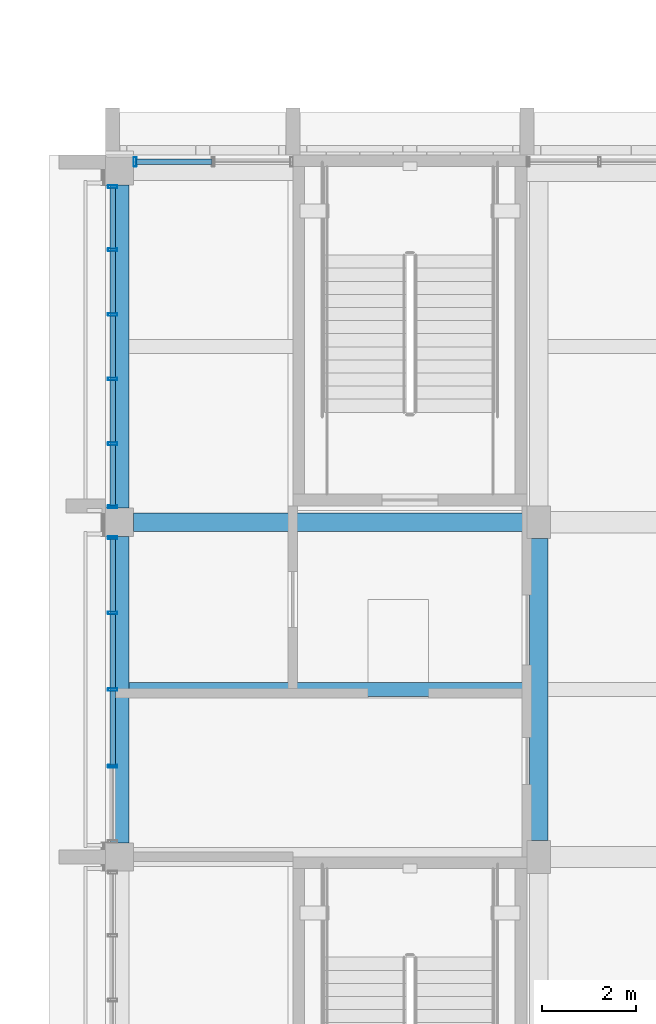
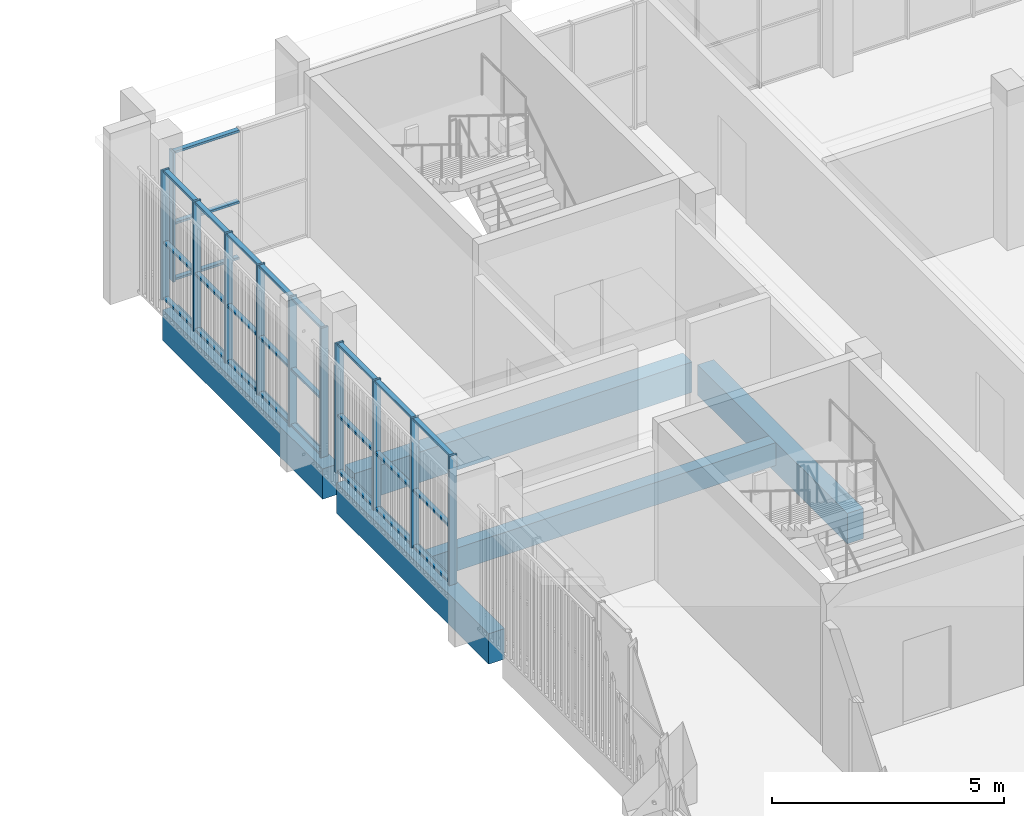
# One storey, part 34 of 92: 38 members, 5 beams, 3 elements without a shape of their own.
"""IFC4 building model written with IfcOpenShell, lengths in metres."""

from ifc_helpers import new_model, si_unit, direction, frame, origin, origin_2d, place, context, subcontext, project, spatial, rectangle, hollow_rectangle, extrude, material, material_profile, profile_set, type_object, element, aggregate, save


model = new_model("IFC4")

# Units and contexts
model_context = context("Model", 3, precision=1e-05, world=origin(), true_north=direction((0.0, 1.0)))
body_context = subcontext(model_context, "Body", "Model", "MODEL_VIEW")
ifc_project = project(units=[si_unit("LENGTHUNIT", "METRE"), si_unit("AREAUNIT", "SQUARE_METRE"), si_unit("VOLUMEUNIT", "CUBIC_METRE"), si_unit("PLANEANGLEUNIT", "RADIAN"), si_unit("MASSUNIT", "GRAM", prefix="KILO")], contexts=[model_context])

# Site, building, storey
site_placement = place(None, origin())
site = spatial("IfcSite", under=ifc_project, at=site_placement, CompositionType="ELEMENT")
building_placement = place(site_placement, origin())
building = spatial("IfcBuilding", under=site, at=building_placement, Name="Sun Court Science Centre", CompositionType="ELEMENT")
storey_placement = place(building_placement, frame((0.0, 0.0, 11.25)))
storey = spatial("IfcBuildingStorey", under=building, at=storey_placement, Name="L02", CompositionType="ELEMENT", Elevation=11.25)

# Curtain wall, members
ifc_material_1 = material(Name="Aluminium EN AW-6063 T6", Category="aluminium")
curtain_wall_type = type_object("IfcCurtainWallType", Name="Laboratory tall bay curtain wall 1500", PredefinedType="NOTDEFINED", material=ifc_material_1)
curtain_wall_1_placement = place(storey_placement, origin())
curtain_wall_1 = element("IfcCurtainWall", 1, at=curtain_wall_1_placement, inside=storey, type_object=curtain_wall_type, Name="Curtain wall V4 W L02 08", PredefinedType="NOTDEFINED")
ifc_material_2 = material(Name="Aluminium EN AW-6063 T6", Category="aluminium")
ifc_material_profile_1 = material_profile(ifc_material_2, hollow_rectangle(XDim=0.06005859375, YDim=0.199951171875, WallThickness=0.0048828125, InnerFilletRadius=0.0048828125, OuterFilletRadius=0.007568359375, at=origin_2d()), Name="AL 60x200x5")
ifc_profile_set_1 = profile_set([ifc_material_profile_1], Name="Aluminium EN AW-6063 T6")
member_type_1 = type_object("IfcMemberType", Name="Curtain wall mullion AL 60x200", PredefinedType="MULLION", material=ifc_profile_set_1)
member_1_placement = place(storey_placement, frame((78.14990234375, 67.9375, 0.0), z_axis=(0.0, 0.0, 1.0), x_axis=(0.0, 1.0, 0.0)))
member_1 = element("IfcMember", 2, at=member_1_placement, type_object=member_type_1, Name="CW2-26 mullion 2", PredefinedType="MULLION", context=body_context, shape_type="SweptSolid", body=[
    extrude(hollow_rectangle(XDim=0.06005859375, YDim=0.199951171875, WallThickness=0.0048828125, InnerFilletRadius=0.0048828125, OuterFilletRadius=0.007568359375, at=origin_2d()), origin(), (0.0, 0.0, 1.0), 3.39990234375),
])
member_2_placement = place(storey_placement, frame((78.14990234375, 69.574951171875, 0.0), z_axis=(0.0, 0.0, 1.0), x_axis=(0.0, 1.0, 0.0)))
member_2 = element("IfcMember", 3, at=member_2_placement, type_object=member_type_1, Name="CW2-26 mullion 3", PredefinedType="MULLION", context=body_context, shape_type="SweptSolid", body=[
    extrude(hollow_rectangle(XDim=0.06005859375, YDim=0.199951171875, WallThickness=0.0048828125, InnerFilletRadius=0.0048828125, OuterFilletRadius=0.007568359375, at=origin_2d()), origin(), (0.0, 0.0, 1.0), 3.39990234375),
])
member_3_placement = place(storey_placement, frame((78.14990234375, 71.21240234375, 0.0), z_axis=(0.0, 0.0, 1.0), x_axis=(0.0, 1.0, 0.0)))
member_3 = element("IfcMember", 4, at=member_3_placement, type_object=member_type_1, Name="CW2-26 mullion 4", PredefinedType="MULLION", context=body_context, shape_type="SweptSolid", body=[
    extrude(hollow_rectangle(XDim=0.06005859375, YDim=0.199951171875, WallThickness=0.0048828125, InnerFilletRadius=0.0048828125, OuterFilletRadius=0.007568359375, at=origin_2d()), origin(), (0.0, 0.0, 1.0), 3.39990234375),
])
member_4_placement = place(storey_placement, frame((78.14990234375, 72.820068359375, 0.0), z_axis=(0.0, 0.0, 1.0), x_axis=(0.0, 1.0, 0.0)))
member_4 = element("IfcMember", 5, at=member_4_placement, type_object=member_type_1, Name="CW2-26 mullion 5", PredefinedType="MULLION", context=body_context, shape_type="SweptSolid", body=[
    extrude(hollow_rectangle(XDim=0.06005859375, YDim=0.199951171875, WallThickness=0.0048828125, InnerFilletRadius=0.0048828125, OuterFilletRadius=0.007568359375, at=origin_2d()), origin(), (0.0, 0.0, 1.0), 3.39990234375),
])

curtain_wall_2_placement = place(storey_placement, origin())
curtain_wall_2 = element("IfcCurtainWall", 6, at=curtain_wall_2_placement, inside=storey, type_object=curtain_wall_type, Name="Curtain wall V4 W L02 09", PredefinedType="NOTDEFINED")
member_5_placement = place(storey_placement, frame((78.14990234375, 73.47998046875, 0.0), z_axis=(0.0, 0.0, 1.0), x_axis=(0.0, 1.0, 0.0)))
member_5 = element("IfcMember", 7, at=member_5_placement, type_object=member_type_1, Name="CW2-27 mullion 1", PredefinedType="MULLION", context=body_context, shape_type="SweptSolid", body=[
    extrude(hollow_rectangle(XDim=0.06005859375, YDim=0.199951171875, WallThickness=0.0048828125, InnerFilletRadius=0.0048828125, OuterFilletRadius=0.007568359375, at=origin_2d()), origin(), (0.0, 0.0, 1.0), 3.39990234375),
])
member_6_placement = place(storey_placement, frame((78.14990234375, 74.830078125, 0.0), z_axis=(0.0, 0.0, 1.0), x_axis=(0.0, 1.0, 0.0)))
member_6 = element("IfcMember", 8, at=member_6_placement, type_object=member_type_1, Name="CW2-27 mullion 2", PredefinedType="MULLION", context=body_context, shape_type="SweptSolid", body=[
    extrude(hollow_rectangle(XDim=0.06005859375, YDim=0.199951171875, WallThickness=0.0048828125, InnerFilletRadius=0.0048828125, OuterFilletRadius=0.007568359375, at=origin_2d()), origin(), (0.0, 0.0, 1.0), 3.39990234375),
])
member_7_placement = place(storey_placement, frame((78.14990234375, 76.2099609375, 0.0), z_axis=(0.0, 0.0, 1.0), x_axis=(0.0, 1.0, 0.0)))
member_7 = element("IfcMember", 9, at=member_7_placement, type_object=member_type_1, Name="CW2-27 mullion 3", PredefinedType="MULLION", context=body_context, shape_type="SweptSolid", body=[
    extrude(hollow_rectangle(XDim=0.06005859375, YDim=0.199951171875, WallThickness=0.0048828125, InnerFilletRadius=0.0048828125, OuterFilletRadius=0.007568359375, at=origin_2d()), origin(), (0.0, 0.0, 1.0), 3.39990234375),
])
member_8_placement = place(storey_placement, frame((78.14990234375, 77.590087890625, 0.0), z_axis=(0.0, 0.0, 1.0), x_axis=(0.0, 1.0, 0.0)))
member_8 = element("IfcMember", 10, at=member_8_placement, type_object=member_type_1, Name="CW2-27 mullion 4", PredefinedType="MULLION", context=body_context, shape_type="SweptSolid", body=[
    extrude(hollow_rectangle(XDim=0.06005859375, YDim=0.199951171875, WallThickness=0.0048828125, InnerFilletRadius=0.0048828125, OuterFilletRadius=0.007568359375, at=origin_2d()), origin(), (0.0, 0.0, 1.0), 3.39990234375),
])
member_9_placement = place(storey_placement, frame((78.14990234375, 78.969970703125, 0.0), z_axis=(0.0, 0.0, 1.0), x_axis=(0.0, 1.0, 0.0)))
member_9 = element("IfcMember", 11, at=member_9_placement, type_object=member_type_1, Name="CW2-27 mullion 5", PredefinedType="MULLION", context=body_context, shape_type="SweptSolid", body=[
    extrude(hollow_rectangle(XDim=0.06005859375, YDim=0.199951171875, WallThickness=0.0048828125, InnerFilletRadius=0.0048828125, OuterFilletRadius=0.007568359375, at=origin_2d()), origin(), (0.0, 0.0, 1.0), 3.39990234375),
])
member_10_placement = place(storey_placement, frame((78.14990234375, 80.320068359375, 0.0), z_axis=(0.0, 0.0, 1.0), x_axis=(0.0, 1.0, 0.0)))
member_10 = element("IfcMember", 12, at=member_10_placement, type_object=member_type_1, Name="CW2-27 mullion 6", PredefinedType="MULLION", context=body_context, shape_type="SweptSolid", body=[
    extrude(hollow_rectangle(XDim=0.06005859375, YDim=0.199951171875, WallThickness=0.0048828125, InnerFilletRadius=0.0048828125, OuterFilletRadius=0.007568359375, at=origin_2d()), origin(), (0.0, 0.0, 1.0), 3.39990234375),
])

# Curtain wall, member
curtain_wall_3_placement = place(storey_placement, origin())
curtain_wall_3 = element("IfcCurtainWall", 13, at=curtain_wall_3_placement, inside=storey, type_object=curtain_wall_type, Name="Curtain wall V4 N L02 01", PredefinedType="NOTDEFINED")
member_11_placement = place(storey_placement, frame((78.6298828125, 80.85009765625, 0.0), z_axis=(0.0, 0.0, 1.0), x_axis=(1.0, 0.0, 0.0)))
member_11 = element("IfcMember", 14, at=member_11_placement, type_object=member_type_1, Name="CW2-67 mullion 1", PredefinedType="MULLION", context=body_context, shape_type="SweptSolid", body=[
    extrude(hollow_rectangle(XDim=0.06005859375, YDim=0.199951171875, WallThickness=0.0048828125, InnerFilletRadius=0.0048828125, OuterFilletRadius=0.007568359375, at=origin_2d()), origin(), (0.0, 0.0, 1.0), 3.39990234375),
])

# Member
ifc_material_3 = material(Name="Aluminium EN AW-6063 T6", Category="aluminium")
ifc_material_profile_2 = material_profile(ifc_material_3, hollow_rectangle(XDim=0.06005859375, YDim=0.1201171875, WallThickness=0.00390625, InnerFilletRadius=0.00390625, OuterFilletRadius=0.006103515625, at=origin_2d()), Name="AL 60x120x4")
ifc_profile_set_2 = profile_set([ifc_material_profile_2], Name="Aluminium EN AW-6063 T6")
member_type_2 = type_object("IfcMemberType", Name="Curtain wall transom AL 60x120", PredefinedType="USERDEFINED", material=ifc_profile_set_2)
member_12_placement = place(storey_placement, frame((78.14990234375, 67.967529296875, 0.030029296875), z_axis=(0.0, 1.0, 0.0), x_axis=(0.0, 0.0, 1.0)))
member_12 = element("IfcMember", 15, at=member_12_placement, type_object=member_type_2, Name="CW2-26 transom 2.1", ObjectType="TRANSOM", PredefinedType="USERDEFINED", context=body_context, shape_type="SweptSolid", body=[
    extrude(hollow_rectangle(XDim=0.06005859375, YDim=0.1201171875, WallThickness=0.00390625, InnerFilletRadius=0.00390625, OuterFilletRadius=0.006103515625, at=origin_2d()), origin(), (0.0, 0.0, 1.0), 1.577392578125),
])

member_13_placement = place(storey_placement, frame((78.14990234375, 69.60498046875, 0.030029296875), z_axis=(0.0, 1.0, 0.0), x_axis=(0.0, 0.0, 1.0)))
member_13 = element("IfcMember", 16, at=member_13_placement, type_object=member_type_2, Name="CW2-26 transom 3.1", ObjectType="TRANSOM", PredefinedType="USERDEFINED", context=body_context, shape_type="SweptSolid", body=[
    extrude(hollow_rectangle(XDim=0.06005859375, YDim=0.1201171875, WallThickness=0.00390625, InnerFilletRadius=0.00390625, OuterFilletRadius=0.006103515625, at=origin_2d()), origin(), (0.0, 0.0, 1.0), 1.57763671875),
])

member_14_placement = place(storey_placement, frame((78.14990234375, 71.242431640625, 0.030029296875), z_axis=(0.0, 1.0, 0.0), x_axis=(0.0, 0.0, 1.0)))
member_14 = element("IfcMember", 17, at=member_14_placement, type_object=member_type_2, Name="CW2-26 transom 4.1", ObjectType="TRANSOM", PredefinedType="USERDEFINED", context=body_context, shape_type="SweptSolid", body=[
    extrude(hollow_rectangle(XDim=0.06005859375, YDim=0.1201171875, WallThickness=0.00390625, InnerFilletRadius=0.00390625, OuterFilletRadius=0.006103515625, at=origin_2d()), origin(), (0.0, 0.0, 1.0), 1.547607421875),
])

member_15_placement = place(storey_placement, frame((78.14990234375, 67.967529296875, 1.5), z_axis=(0.0, 1.0, 0.0), x_axis=(0.0, 0.0, 1.0)))
member_15 = element("IfcMember", 18, at=member_15_placement, type_object=member_type_2, Name="CW2-26 transom 2.2", ObjectType="TRANSOM", PredefinedType="USERDEFINED", context=body_context, shape_type="SweptSolid", body=[
    extrude(hollow_rectangle(XDim=0.06005859375, YDim=0.1201171875, WallThickness=0.00390625, InnerFilletRadius=0.00390625, OuterFilletRadius=0.006103515625, at=origin_2d()), origin(), (0.0, 0.0, 1.0), 1.577392578125),
])

member_16_placement = place(storey_placement, frame((78.14990234375, 69.60498046875, 1.5), z_axis=(0.0, 1.0, 0.0), x_axis=(0.0, 0.0, 1.0)))
member_16 = element("IfcMember", 19, at=member_16_placement, type_object=member_type_2, Name="CW2-26 transom 3.2", ObjectType="TRANSOM", PredefinedType="USERDEFINED", context=body_context, shape_type="SweptSolid", body=[
    extrude(hollow_rectangle(XDim=0.06005859375, YDim=0.1201171875, WallThickness=0.00390625, InnerFilletRadius=0.00390625, OuterFilletRadius=0.006103515625, at=origin_2d()), origin(), (0.0, 0.0, 1.0), 1.57763671875),
])

member_17_placement = place(storey_placement, frame((78.14990234375, 71.242431640625, 1.5), z_axis=(0.0, 1.0, 0.0), x_axis=(0.0, 0.0, 1.0)))
member_17 = element("IfcMember", 20, at=member_17_placement, type_object=member_type_2, Name="CW2-26 transom 4.2", ObjectType="TRANSOM", PredefinedType="USERDEFINED", context=body_context, shape_type="SweptSolid", body=[
    extrude(hollow_rectangle(XDim=0.06005859375, YDim=0.1201171875, WallThickness=0.00390625, InnerFilletRadius=0.00390625, OuterFilletRadius=0.006103515625, at=origin_2d()), origin(), (0.0, 0.0, 1.0), 1.547607421875),
])

member_18_placement = place(storey_placement, frame((78.14990234375, 67.967529296875, 3.3701171875), z_axis=(0.0, 1.0, 0.0), x_axis=(0.0, 0.0, 1.0)))
member_18 = element("IfcMember", 21, at=member_18_placement, type_object=member_type_2, Name="CW2-26 transom 2.3", ObjectType="TRANSOM", PredefinedType="USERDEFINED", context=body_context, shape_type="SweptSolid", body=[
    extrude(hollow_rectangle(XDim=0.06005859375, YDim=0.1201171875, WallThickness=0.00390625, InnerFilletRadius=0.00390625, OuterFilletRadius=0.006103515625, at=origin_2d()), origin(), (0.0, 0.0, 1.0), 1.577392578125),
])

member_19_placement = place(storey_placement, frame((78.14990234375, 69.60498046875, 3.3701171875), z_axis=(0.0, 1.0, 0.0), x_axis=(0.0, 0.0, 1.0)))
member_19 = element("IfcMember", 22, at=member_19_placement, type_object=member_type_2, Name="CW2-26 transom 3.3", ObjectType="TRANSOM", PredefinedType="USERDEFINED", context=body_context, shape_type="SweptSolid", body=[
    extrude(hollow_rectangle(XDim=0.06005859375, YDim=0.1201171875, WallThickness=0.00390625, InnerFilletRadius=0.00390625, OuterFilletRadius=0.006103515625, at=origin_2d()), origin(), (0.0, 0.0, 1.0), 1.57763671875),
])

member_20_placement = place(storey_placement, frame((78.14990234375, 71.242431640625, 3.3701171875), z_axis=(0.0, 1.0, 0.0), x_axis=(0.0, 0.0, 1.0)))
member_20 = element("IfcMember", 23, at=member_20_placement, type_object=member_type_2, Name="CW2-26 transom 4.3", ObjectType="TRANSOM", PredefinedType="USERDEFINED", context=body_context, shape_type="SweptSolid", body=[
    extrude(hollow_rectangle(XDim=0.06005859375, YDim=0.1201171875, WallThickness=0.00390625, InnerFilletRadius=0.00390625, OuterFilletRadius=0.006103515625, at=origin_2d()), origin(), (0.0, 0.0, 1.0), 1.547607421875),
])

aggregate(curtain_wall_1, [member_1, member_2, member_3, member_4, member_12, member_13, member_14, member_15, member_16, member_17, member_18, member_19, member_20])

member_21_placement = place(storey_placement, frame((78.14990234375, 73.510009765625, 0.030029296875), z_axis=(0.0, 1.0, 0.0), x_axis=(0.0, 0.0, 1.0)))
member_21 = element("IfcMember", 24, at=member_21_placement, type_object=member_type_2, Name="CW2-27 transom 1.1", ObjectType="TRANSOM", PredefinedType="USERDEFINED", context=body_context, shape_type="SweptSolid", body=[
    extrude(hollow_rectangle(XDim=0.06005859375, YDim=0.1201171875, WallThickness=0.00390625, InnerFilletRadius=0.00390625, OuterFilletRadius=0.006103515625, at=origin_2d()), origin(), (0.0, 0.0, 1.0), 1.2900390625),
])

member_22_placement = place(storey_placement, frame((78.14990234375, 74.860107421875, 0.030029296875), z_axis=(0.0, 1.0, 0.0), x_axis=(0.0, 0.0, 1.0)))
member_22 = element("IfcMember", 25, at=member_22_placement, type_object=member_type_2, Name="CW2-27 transom 2.1", ObjectType="TRANSOM", PredefinedType="USERDEFINED", context=body_context, shape_type="SweptSolid", body=[
    extrude(hollow_rectangle(XDim=0.06005859375, YDim=0.1201171875, WallThickness=0.00390625, InnerFilletRadius=0.00390625, OuterFilletRadius=0.006103515625, at=origin_2d()), origin(), (0.0, 0.0, 1.0), 1.31982421875),
])

member_23_placement = place(storey_placement, frame((78.14990234375, 76.239990234375, 0.030029296875), z_axis=(0.0, 1.0, 0.0), x_axis=(0.0, 0.0, 1.0)))
member_23 = element("IfcMember", 26, at=member_23_placement, type_object=member_type_2, Name="CW2-27 transom 3.1", ObjectType="TRANSOM", PredefinedType="USERDEFINED", context=body_context, shape_type="SweptSolid", body=[
    extrude(hollow_rectangle(XDim=0.06005859375, YDim=0.1201171875, WallThickness=0.00390625, InnerFilletRadius=0.00390625, OuterFilletRadius=0.006103515625, at=origin_2d()), origin(), (0.0, 0.0, 1.0), 1.320068359375),
])

member_24_placement = place(storey_placement, frame((78.14990234375, 77.6201171875, 0.030029296875), z_axis=(0.0, 1.0, 0.0), x_axis=(0.0, 0.0, 1.0)))
member_24 = element("IfcMember", 27, at=member_24_placement, type_object=member_type_2, Name="CW2-27 transom 4.1", ObjectType="TRANSOM", PredefinedType="USERDEFINED", context=body_context, shape_type="SweptSolid", body=[
    extrude(hollow_rectangle(XDim=0.06005859375, YDim=0.1201171875, WallThickness=0.00390625, InnerFilletRadius=0.00390625, OuterFilletRadius=0.006103515625, at=origin_2d()), origin(), (0.0, 0.0, 1.0), 1.31982421875),
])

member_25_placement = place(storey_placement, frame((78.14990234375, 79.0, 0.030029296875), z_axis=(0.0, 1.0, 0.0), x_axis=(0.0, 0.0, 1.0)))
member_25 = element("IfcMember", 28, at=member_25_placement, type_object=member_type_2, Name="CW2-27 transom 5.1", ObjectType="TRANSOM", PredefinedType="USERDEFINED", context=body_context, shape_type="SweptSolid", body=[
    extrude(hollow_rectangle(XDim=0.06005859375, YDim=0.1201171875, WallThickness=0.00390625, InnerFilletRadius=0.00390625, OuterFilletRadius=0.006103515625, at=origin_2d()), origin(), (0.0, 0.0, 1.0), 1.2900390625),
])

member_26_placement = place(storey_placement, frame((78.14990234375, 73.510009765625, 1.5), z_axis=(0.0, 1.0, 0.0), x_axis=(0.0, 0.0, 1.0)))
member_26 = element("IfcMember", 29, at=member_26_placement, type_object=member_type_2, Name="CW2-27 transom 1.2", ObjectType="TRANSOM", PredefinedType="USERDEFINED", context=body_context, shape_type="SweptSolid", body=[
    extrude(hollow_rectangle(XDim=0.06005859375, YDim=0.1201171875, WallThickness=0.00390625, InnerFilletRadius=0.00390625, OuterFilletRadius=0.006103515625, at=origin_2d()), origin(), (0.0, 0.0, 1.0), 1.2900390625),
])

member_27_placement = place(storey_placement, frame((78.14990234375, 74.860107421875, 1.5), z_axis=(0.0, 1.0, 0.0), x_axis=(0.0, 0.0, 1.0)))
member_27 = element("IfcMember", 30, at=member_27_placement, type_object=member_type_2, Name="CW2-27 transom 2.2", ObjectType="TRANSOM", PredefinedType="USERDEFINED", context=body_context, shape_type="SweptSolid", body=[
    extrude(hollow_rectangle(XDim=0.06005859375, YDim=0.1201171875, WallThickness=0.00390625, InnerFilletRadius=0.00390625, OuterFilletRadius=0.006103515625, at=origin_2d()), origin(), (0.0, 0.0, 1.0), 1.31982421875),
])

member_28_placement = place(storey_placement, frame((78.14990234375, 76.239990234375, 1.5), z_axis=(0.0, 1.0, 0.0), x_axis=(0.0, 0.0, 1.0)))
member_28 = element("IfcMember", 31, at=member_28_placement, type_object=member_type_2, Name="CW2-27 transom 3.2", ObjectType="TRANSOM", PredefinedType="USERDEFINED", context=body_context, shape_type="SweptSolid", body=[
    extrude(hollow_rectangle(XDim=0.06005859375, YDim=0.1201171875, WallThickness=0.00390625, InnerFilletRadius=0.00390625, OuterFilletRadius=0.006103515625, at=origin_2d()), origin(), (0.0, 0.0, 1.0), 1.320068359375),
])

member_29_placement = place(storey_placement, frame((78.14990234375, 77.6201171875, 1.5), z_axis=(0.0, 1.0, 0.0), x_axis=(0.0, 0.0, 1.0)))
member_29 = element("IfcMember", 32, at=member_29_placement, type_object=member_type_2, Name="CW2-27 transom 4.2", ObjectType="TRANSOM", PredefinedType="USERDEFINED", context=body_context, shape_type="SweptSolid", body=[
    extrude(hollow_rectangle(XDim=0.06005859375, YDim=0.1201171875, WallThickness=0.00390625, InnerFilletRadius=0.00390625, OuterFilletRadius=0.006103515625, at=origin_2d()), origin(), (0.0, 0.0, 1.0), 1.31982421875),
])

member_30_placement = place(storey_placement, frame((78.14990234375, 79.0, 1.5), z_axis=(0.0, 1.0, 0.0), x_axis=(0.0, 0.0, 1.0)))
member_30 = element("IfcMember", 33, at=member_30_placement, type_object=member_type_2, Name="CW2-27 transom 5.2", ObjectType="TRANSOM", PredefinedType="USERDEFINED", context=body_context, shape_type="SweptSolid", body=[
    extrude(hollow_rectangle(XDim=0.06005859375, YDim=0.1201171875, WallThickness=0.00390625, InnerFilletRadius=0.00390625, OuterFilletRadius=0.006103515625, at=origin_2d()), origin(), (0.0, 0.0, 1.0), 1.2900390625),
])

member_31_placement = place(storey_placement, frame((78.14990234375, 73.510009765625, 3.3701171875), z_axis=(0.0, 1.0, 0.0), x_axis=(0.0, 0.0, 1.0)))
member_31 = element("IfcMember", 34, at=member_31_placement, type_object=member_type_2, Name="CW2-27 transom 1.3", ObjectType="TRANSOM", PredefinedType="USERDEFINED", context=body_context, shape_type="SweptSolid", body=[
    extrude(hollow_rectangle(XDim=0.06005859375, YDim=0.1201171875, WallThickness=0.00390625, InnerFilletRadius=0.00390625, OuterFilletRadius=0.006103515625, at=origin_2d()), origin(), (0.0, 0.0, 1.0), 1.2900390625),
])

member_32_placement = place(storey_placement, frame((78.14990234375, 74.860107421875, 3.3701171875), z_axis=(0.0, 1.0, 0.0), x_axis=(0.0, 0.0, 1.0)))
member_32 = element("IfcMember", 35, at=member_32_placement, type_object=member_type_2, Name="CW2-27 transom 2.3", ObjectType="TRANSOM", PredefinedType="USERDEFINED", context=body_context, shape_type="SweptSolid", body=[
    extrude(hollow_rectangle(XDim=0.06005859375, YDim=0.1201171875, WallThickness=0.00390625, InnerFilletRadius=0.00390625, OuterFilletRadius=0.006103515625, at=origin_2d()), origin(), (0.0, 0.0, 1.0), 1.31982421875),
])

member_33_placement = place(storey_placement, frame((78.14990234375, 76.239990234375, 3.3701171875), z_axis=(0.0, 1.0, 0.0), x_axis=(0.0, 0.0, 1.0)))
member_33 = element("IfcMember", 36, at=member_33_placement, type_object=member_type_2, Name="CW2-27 transom 3.3", ObjectType="TRANSOM", PredefinedType="USERDEFINED", context=body_context, shape_type="SweptSolid", body=[
    extrude(hollow_rectangle(XDim=0.06005859375, YDim=0.1201171875, WallThickness=0.00390625, InnerFilletRadius=0.00390625, OuterFilletRadius=0.006103515625, at=origin_2d()), origin(), (0.0, 0.0, 1.0), 1.320068359375),
])

member_34_placement = place(storey_placement, frame((78.14990234375, 77.6201171875, 3.3701171875), z_axis=(0.0, 1.0, 0.0), x_axis=(0.0, 0.0, 1.0)))
member_34 = element("IfcMember", 37, at=member_34_placement, type_object=member_type_2, Name="CW2-27 transom 4.3", ObjectType="TRANSOM", PredefinedType="USERDEFINED", context=body_context, shape_type="SweptSolid", body=[
    extrude(hollow_rectangle(XDim=0.06005859375, YDim=0.1201171875, WallThickness=0.00390625, InnerFilletRadius=0.00390625, OuterFilletRadius=0.006103515625, at=origin_2d()), origin(), (0.0, 0.0, 1.0), 1.31982421875),
])

member_35_placement = place(storey_placement, frame((78.14990234375, 79.0, 3.3701171875), z_axis=(0.0, 1.0, 0.0), x_axis=(0.0, 0.0, 1.0)))
member_35 = element("IfcMember", 38, at=member_35_placement, type_object=member_type_2, Name="CW2-27 transom 5.3", ObjectType="TRANSOM", PredefinedType="USERDEFINED", context=body_context, shape_type="SweptSolid", body=[
    extrude(hollow_rectangle(XDim=0.06005859375, YDim=0.1201171875, WallThickness=0.00390625, InnerFilletRadius=0.00390625, OuterFilletRadius=0.006103515625, at=origin_2d()), origin(), (0.0, 0.0, 1.0), 1.2900390625),
])

aggregate(curtain_wall_2, [member_5, member_6, member_7, member_8, member_9, member_10, member_21, member_22, member_23, member_24, member_25, member_26, member_27, member_28, member_29, member_30, member_31, member_32, member_33, member_34, member_35])

member_36_placement = place(storey_placement, frame((78.659912109375, 80.85009765625, 0.030029296875), z_axis=(1.0, 0.0, 0.0), x_axis=(0.0, 0.0, 1.0)))
member_36 = element("IfcMember", 39, at=member_36_placement, type_object=member_type_2, Name="CW2-67 transom 1.1", ObjectType="TRANSOM", PredefinedType="USERDEFINED", context=body_context, shape_type="SweptSolid", body=[
    extrude(hollow_rectangle(XDim=0.06005859375, YDim=0.1201171875, WallThickness=0.00390625, InnerFilletRadius=0.00390625, OuterFilletRadius=0.006103515625, at=origin_2d()), origin(), (0.0, 0.0, 1.0), 1.610107421875),
])

member_37_placement = place(storey_placement, frame((78.659912109375, 80.85009765625, 1.5), z_axis=(1.0, 0.0, 0.0), x_axis=(0.0, 0.0, 1.0)))
member_37 = element("IfcMember", 40, at=member_37_placement, type_object=member_type_2, Name="CW2-67 transom 1.2", ObjectType="TRANSOM", PredefinedType="USERDEFINED", context=body_context, shape_type="SweptSolid", body=[
    extrude(hollow_rectangle(XDim=0.06005859375, YDim=0.1201171875, WallThickness=0.00390625, InnerFilletRadius=0.00390625, OuterFilletRadius=0.006103515625, at=origin_2d()), origin(), (0.0, 0.0, 1.0), 1.610107421875),
])

member_38_placement = place(storey_placement, frame((78.659912109375, 80.85009765625, 3.3701171875), z_axis=(1.0, 0.0, 0.0), x_axis=(0.0, 0.0, 1.0)))
member_38 = element("IfcMember", 41, at=member_38_placement, type_object=member_type_2, Name="CW2-67 transom 1.3", ObjectType="TRANSOM", PredefinedType="USERDEFINED", context=body_context, shape_type="SweptSolid", body=[
    extrude(hollow_rectangle(XDim=0.06005859375, YDim=0.1201171875, WallThickness=0.00390625, InnerFilletRadius=0.00390625, OuterFilletRadius=0.006103515625, at=origin_2d()), origin(), (0.0, 0.0, 1.0), 1.610107421875),
])

aggregate(curtain_wall_3, [member_11, member_36, member_37, member_38])

# Beams
ifc_material_4 = material(Name="Concrete C25/30", Category="concrete")
ifc_material_profile_3 = material_profile(ifc_material_4, rectangle(XDim=0.39990234375, YDim=0.800048828125, at=origin_2d()), Name="RC 400x800")
ifc_profile_set_3 = profile_set([ifc_material_profile_3], Name="Concrete C25/30")
beam_type_1 = type_object("IfcBeamType", Name="RC girder 400x800", PredefinedType="BEAM", material=ifc_profile_set_3)
beam_1_placement = place(storey_placement, frame((78.60009765625, 73.14990234375, -0.699951171875), z_axis=(1.0, 0.0, 0.0), x_axis=(0.0, 1.0, 0.0)))
element("IfcBeam", 42, at=beam_1_placement, inside=storey, type_object=beam_type_1, Name="Girder L02 row 10", PredefinedType="BEAM", context=body_context, shape_type="SweptSolid", body=[
    extrude(rectangle(XDim=0.39990234375, YDim=0.800048828125, at=origin_2d()), origin(), (0.0, 0.0, 1.0), 8.39990234375),
])
beam_2_placement = place(storey_placement, frame((78.300048828125, 66.300048828125, -0.699951171875), z_axis=(0.0, 1.0, 0.0), x_axis=(-1.0, 0.0, 0.0)))
element("IfcBeam", 43, at=beam_2_placement, inside=storey, type_object=beam_type_1, Name="Girder L02 line 1", PredefinedType="BEAM", context=body_context, shape_type="SweptSolid", body=[
    extrude(rectangle(XDim=0.39990234375, YDim=0.800048828125, at=origin_2d()), origin(), (0.0, 0.0, 1.0), 6.550048828125),
])
beam_3_placement = place(storey_placement, frame((78.300048828125, 73.449951171875, -0.699951171875), z_axis=(0.0, 1.0, 0.0), x_axis=(-1.0, 0.0, 0.0)))
element("IfcBeam", 44, at=beam_3_placement, inside=storey, type_object=beam_type_1, Name="Girder L02 line 1", PredefinedType="BEAM", context=body_context, shape_type="SweptSolid", body=[
    extrude(rectangle(XDim=0.39990234375, YDim=0.800048828125, at=origin_2d()), origin(), (0.0, 0.0, 1.0), 6.900146484375),
])
beam_4_placement = place(storey_placement, frame((87.25, 66.35009765625, -0.699951171875), z_axis=(0.0, 1.0, 0.0), x_axis=(-1.0, 0.0, 0.0)))
element("IfcBeam", 45, at=beam_4_placement, inside=storey, type_object=beam_type_1, Name="Girder L02 line 2", PredefinedType="BEAM", context=body_context, shape_type="SweptSolid", body=[
    extrude(rectangle(XDim=0.39990234375, YDim=0.800048828125, at=origin_2d()), origin(), (0.0, 0.0, 1.0), 6.449951171875),
])
ifc_material_5 = material(Name="Concrete C25/30", Category="concrete")
ifc_material_profile_4 = material_profile(ifc_material_5, rectangle(XDim=0.300048828125, YDim=0.60009765625, at=origin_2d()), Name="RC 300x600")
ifc_profile_set_4 = profile_set([ifc_material_profile_4], Name="Concrete C25/30")
beam_type_2 = type_object("IfcBeamType", Name="RC joist 300x600", PredefinedType="JOIST", material=ifc_profile_set_4)
beam_5_placement = place(storey_placement, frame((78.5, 69.574951171875, -0.60009765625), z_axis=(1.0, 0.0, 0.0), x_axis=(0.0, 1.0, 0.0)))
element("IfcBeam", 46, at=beam_5_placement, inside=storey, type_object=beam_type_2, Name="Joist L02", PredefinedType="JOIST", context=body_context, shape_type="SweptSolid", body=[
    extrude(rectangle(XDim=0.300048828125, YDim=0.60009765625, at=origin_2d()), origin(), (0.0, 0.0, 1.0), 8.550048828125),
])

save(model, "model.ifc")
